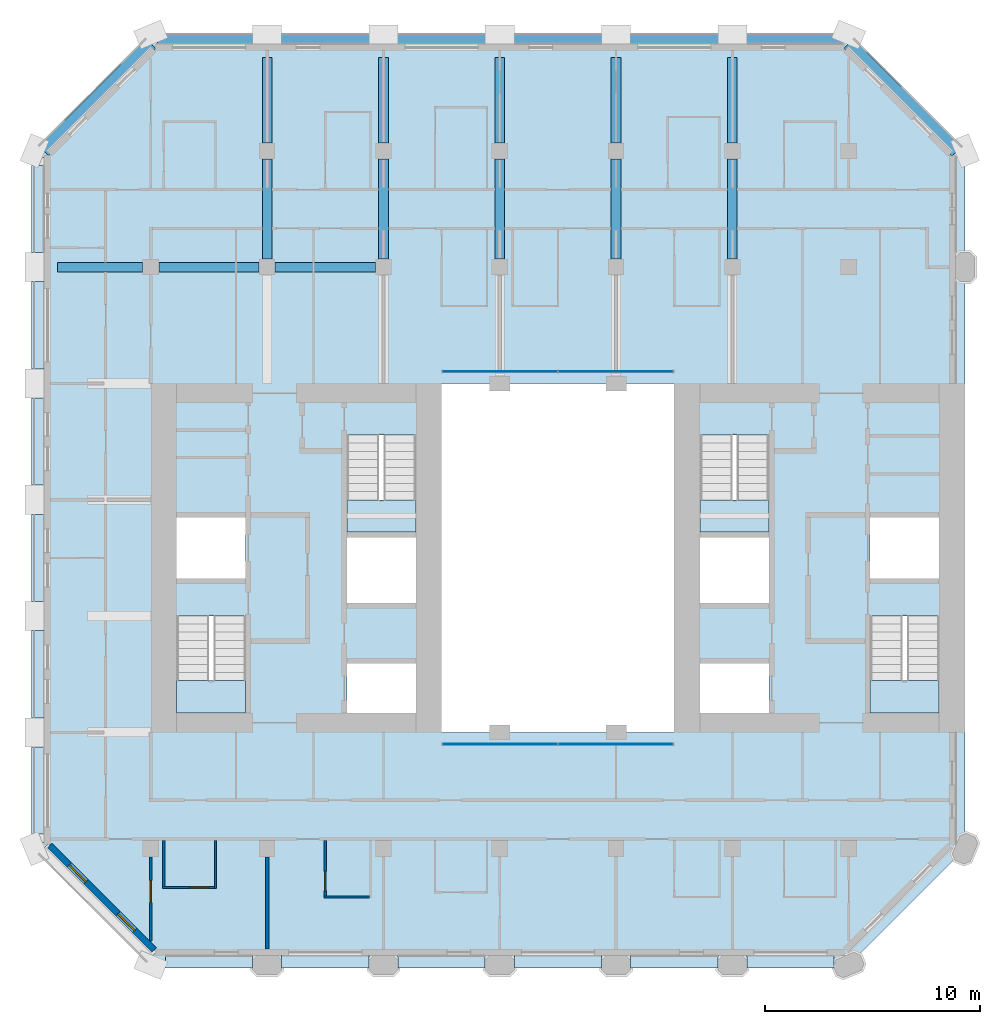
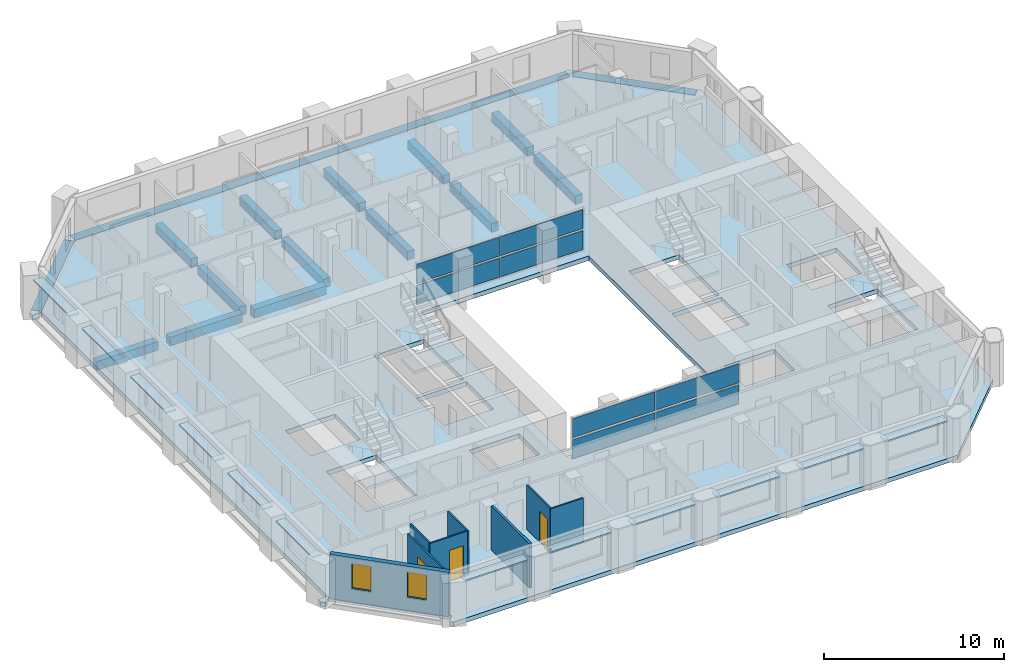
# One storey, part 5 of 14: 20 plates, 16 beams, 8 walls, 5 slabs, 3 doors, 2 windows, 5 openings, 6 elements without a shape of their own.
"""IFC4 building model written with IfcOpenShell, lengths in metres."""

from ifc_helpers import new_model, si_unit, direction, frame, frame_2d, origin, origin_2d, place, context, subcontext, project, spatial, polyline, rectangle, outline, extrude, material, layer, layer_set, material_profile, profile_set, type_object, element, fill, aggregate, save


model = new_model("IFC4")

# Units and contexts
model_context = context("Model", 3, precision=1e-05, world=origin(), true_north=direction((0.0, 1.0)))
body_context = subcontext(model_context, "Body", "Model", "MODEL_VIEW")
ifc_project = project(units=[si_unit("LENGTHUNIT", "METRE"), si_unit("AREAUNIT", "SQUARE_METRE"), si_unit("VOLUMEUNIT", "CUBIC_METRE"), si_unit("PLANEANGLEUNIT", "RADIAN"), si_unit("MASSUNIT", "GRAM", prefix="KILO")], contexts=[model_context])

# Site, building, storey
site_placement = place(None, origin())
site = spatial("IfcSite", under=ifc_project, at=site_placement, CompositionType="ELEMENT")
building_placement = place(site_placement, origin())
building = spatial("IfcBuilding", under=site, at=building_placement, Name="Tabaq Tower and Sports Hall", CompositionType="ELEMENT")
storey_placement = place(building_placement, frame((0.0, 0.0, 223.60009765625)))
storey = spatial("IfcBuildingStorey", under=building, at=storey_placement, Name="L56", CompositionType="ELEMENT", Elevation=223.60009765625)

# Beams
ifc_material_1 = material(Name="Concrete C40/50", Category="concrete")
ifc_material_profile_1 = material_profile(ifc_material_1, rectangle(XDim=0.449951171875, YDim=0.60009765625, at=origin_2d()), Name="CB 450x600")
ifc_profile_set_1 = profile_set([ifc_material_profile_1], Name="Concrete C40/50")
beam_type_1 = type_object("IfcBeamType", Name="PT CANTILEVER BEAM CB 450x600 C40/50", PredefinedType="BEAM", material=ifc_profile_set_1)
beam_1_placement = place(storey_placement, frame((1.074951171875, 37.800048828125, -0.60009765625), z_axis=(1.0, 0.0, 0.0), x_axis=(0.0, 1.0, 0.0)))
element("IfcBeam", 1, at=beam_1_placement, inside=storey, type_object=beam_type_1, Name="Cantilever Beam L56 W7 span 1", PredefinedType="BEAM", context=body_context, shape_type="SweptSolid", body=[
    extrude(rectangle(XDim=0.449951171875, YDim=0.60009765625, at=origin_2d()), origin(), (0.0, 0.0, 1.0), 3.949951171875),
])
beam_2_placement = place(storey_placement, frame((5.77490234375, 37.800048828125, -0.60009765625), z_axis=(1.0, 0.0, 0.0), x_axis=(0.0, 1.0, 0.0)))
element("IfcBeam", 2, at=beam_2_placement, inside=storey, type_object=beam_type_1, Name="Cantilever Beam L56 W7 span 2", PredefinedType="BEAM", context=body_context, shape_type="SweptSolid", body=[
    extrude(rectangle(XDim=0.449951171875, YDim=0.60009765625, at=origin_2d()), origin(), (0.0, 0.0, 1.0), 4.650146484375),
])
beam_3_placement = place(storey_placement, frame((11.175048828125, 37.800048828125, -0.60009765625), z_axis=(1.0, 0.0, 0.0), x_axis=(0.0, 1.0, 0.0)))
element("IfcBeam", 3, at=beam_3_placement, inside=storey, type_object=beam_type_1, Name="Cantilever Beam L56 W7 span 3", PredefinedType="BEAM", context=body_context, shape_type="SweptSolid", body=[
    extrude(rectangle(XDim=0.449951171875, YDim=0.60009765625, at=origin_2d()), origin(), (0.0, 0.0, 1.0), 4.64990234375),
])
beam_4_placement = place(storey_placement, frame((10.800048828125, 47.52490234375, -0.60009765625), z_axis=(0.0, -1.0, 0.0), x_axis=(1.0, 0.0, 0.0)))
element("IfcBeam", 4, at=beam_4_placement, inside=storey, type_object=beam_type_1, Name="Cantilever Beam L56 N2 span 1", PredefinedType="BEAM", context=body_context, shape_type="SweptSolid", body=[
    extrude(rectangle(XDim=0.449951171875, YDim=0.60009765625, at=origin_2d()), origin(), (0.0, 0.0, 1.0), 3.949951171875),
])
beam_5_placement = place(storey_placement, frame((10.800048828125, 42.824951171875, -0.60009765625), z_axis=(0.0, -1.0, 0.0), x_axis=(1.0, 0.0, 0.0)))
element("IfcBeam", 5, at=beam_5_placement, inside=storey, type_object=beam_type_1, Name="Cantilever Beam L56 N2 span 2", PredefinedType="BEAM", context=body_context, shape_type="SweptSolid", body=[
    extrude(rectangle(XDim=0.449951171875, YDim=0.60009765625, at=origin_2d()), origin(), (0.0, 0.0, 1.0), 4.64990234375),
])
beam_6_placement = place(storey_placement, frame((16.199951171875, 47.52490234375, -0.60009765625), z_axis=(0.0, -1.0, 0.0), x_axis=(1.0, 0.0, 0.0)))
element("IfcBeam", 6, at=beam_6_placement, inside=storey, type_object=beam_type_1, Name="Cantilever Beam L56 N3 span 1", PredefinedType="BEAM", context=body_context, shape_type="SweptSolid", body=[
    extrude(rectangle(XDim=0.449951171875, YDim=0.60009765625, at=origin_2d()), origin(), (0.0, 0.0, 1.0), 3.949951171875),
])
beam_7_placement = place(storey_placement, frame((16.199951171875, 42.824951171875, -0.60009765625), z_axis=(0.0, -1.0, 0.0), x_axis=(1.0, 0.0, 0.0)))
element("IfcBeam", 7, at=beam_7_placement, inside=storey, type_object=beam_type_1, Name="Cantilever Beam L56 N3 span 2", PredefinedType="BEAM", context=body_context, shape_type="SweptSolid", body=[
    extrude(rectangle(XDim=0.449951171875, YDim=0.60009765625, at=origin_2d()), origin(), (0.0, 0.0, 1.0), 4.64990234375),
])
beam_8_placement = place(storey_placement, frame((21.60009765625, 47.52490234375, -0.60009765625), z_axis=(0.0, -1.0, 0.0), x_axis=(1.0, 0.0, 0.0)))
element("IfcBeam", 8, at=beam_8_placement, inside=storey, type_object=beam_type_1, Name="Cantilever Beam L56 N4 span 1", PredefinedType="BEAM", context=body_context, shape_type="SweptSolid", body=[
    extrude(rectangle(XDim=0.449951171875, YDim=0.60009765625, at=origin_2d()), origin(), (0.0, 0.0, 1.0), 3.949951171875),
])
beam_9_placement = place(storey_placement, frame((21.60009765625, 42.824951171875, -0.60009765625), z_axis=(0.0, -1.0, 0.0), x_axis=(1.0, 0.0, 0.0)))
element("IfcBeam", 9, at=beam_9_placement, inside=storey, type_object=beam_type_1, Name="Cantilever Beam L56 N4 span 2", PredefinedType="BEAM", context=body_context, shape_type="SweptSolid", body=[
    extrude(rectangle(XDim=0.449951171875, YDim=0.60009765625, at=origin_2d()), origin(), (0.0, 0.0, 1.0), 4.64990234375),
])
beam_10_placement = place(storey_placement, frame((27.0, 47.52490234375, -0.60009765625), z_axis=(0.0, -1.0, 0.0), x_axis=(1.0, 0.0, 0.0)))
element("IfcBeam", 10, at=beam_10_placement, inside=storey, type_object=beam_type_1, Name="Cantilever Beam L56 N5 span 1", PredefinedType="BEAM", context=body_context, shape_type="SweptSolid", body=[
    extrude(rectangle(XDim=0.449951171875, YDim=0.60009765625, at=origin_2d()), origin(), (0.0, 0.0, 1.0), 3.949951171875),
])
beam_11_placement = place(storey_placement, frame((27.0, 42.824951171875, -0.60009765625), z_axis=(0.0, -1.0, 0.0), x_axis=(1.0, 0.0, 0.0)))
element("IfcBeam", 11, at=beam_11_placement, inside=storey, type_object=beam_type_1, Name="Cantilever Beam L56 N5 span 2", PredefinedType="BEAM", context=body_context, shape_type="SweptSolid", body=[
    extrude(rectangle(XDim=0.449951171875, YDim=0.60009765625, at=origin_2d()), origin(), (0.0, 0.0, 1.0), 4.64990234375),
])
beam_12_placement = place(storey_placement, frame((32.39990234375, 47.52490234375, -0.60009765625), z_axis=(0.0, -1.0, 0.0), x_axis=(1.0, 0.0, 0.0)))
element("IfcBeam", 12, at=beam_12_placement, inside=storey, type_object=beam_type_1, Name="Cantilever Beam L56 N6 span 1", PredefinedType="BEAM", context=body_context, shape_type="SweptSolid", body=[
    extrude(rectangle(XDim=0.449951171875, YDim=0.60009765625, at=origin_2d()), origin(), (0.0, 0.0, 1.0), 3.949951171875),
])
beam_13_placement = place(storey_placement, frame((32.39990234375, 42.824951171875, -0.60009765625), z_axis=(0.0, -1.0, 0.0), x_axis=(1.0, 0.0, 0.0)))
element("IfcBeam", 13, at=beam_13_placement, inside=storey, type_object=beam_type_1, Name="Cantilever Beam L56 N6 span 2", PredefinedType="BEAM", context=body_context, shape_type="SweptSolid", body=[
    extrude(rectangle(XDim=0.449951171875, YDim=0.60009765625, at=origin_2d()), origin(), (0.0, 0.0, 1.0), 4.64990234375),
])
ifc_material_2 = material(Name="Concrete C40/50", Category="concrete")
ifc_material_profile_2 = material_profile(ifc_material_2, rectangle(XDim=0.60009765625, YDim=0.300048828125, at=origin_2d()), Name="EB 600x300")
ifc_profile_set_2 = profile_set([ifc_material_profile_2], Name="Concrete C40/50")
beam_type_2 = type_object("IfcBeamType", Name="PT EDGE BEAM EB 600x300 C40/50", PredefinedType="SPANDREL", material=ifc_profile_set_2)
beam_14_placement = place(storey_placement, frame((42.81103515625, 43.16455078125, -0.150146484375), z_axis=(-0.707089559252, 0.707124002701, 0.0), x_axis=(-0.707124002701, -0.707089559252, 0.0)))
element("IfcBeam", 14, at=beam_14_placement, inside=storey, type_object=beam_type_2, Name="Edge Beam L56 1", PredefinedType="SPANDREL", context=body_context, shape_type="SweptSolid", body=[
    extrude(rectangle(XDim=0.60009765625, YDim=0.300048828125, at=origin_2d()), origin(), (0.0, 0.0, 1.0), 7.088134765625),
])
beam_15_placement = place(storey_placement, frame((37.50146484375, 48.300048828125, -0.150146484375), z_axis=(-1.0, 0.0, 0.0), x_axis=(0.0, -1.0, 0.0)))
element("IfcBeam", 15, at=beam_15_placement, inside=storey, type_object=beam_type_2, Name="Edge Beam L56 2", PredefinedType="SPANDREL", context=body_context, shape_type="SweptSolid", body=[
    extrude(rectangle(XDim=0.60009765625, YDim=0.300048828125, at=origin_2d()), origin(), (0.0, 0.0, 1.0), 31.802978515625),
])
beam_16_placement = place(storey_placement, frame((5.401123046875, 48.1767578125, -0.150146484375), z_axis=(-0.707106781187, -0.707106781187, 0.0), x_axis=(0.707106781187, -0.707106781187, 0.0)))
element("IfcBeam", 16, at=beam_16_placement, inside=storey, type_object=beam_type_2, Name="Edge Beam L56 3", PredefinedType="SPANDREL", context=body_context, shape_type="SweptSolid", body=[
    extrude(rectangle(XDim=0.60009765625, YDim=0.300048828125, at=origin_2d()), origin(), (0.0, 0.0, 1.0), 7.03955078125),
])

# Curtain wall, plates
ifc_material_3 = material(Name="Aluminium alloy 6063-T6 framed glazing", Category="aluminium")
curtain_wall_type = type_object("IfcCurtainWallType", Name="CW1 curtain wall", PredefinedType="USERDEFINED", material=ifc_material_3)
curtain_wall_1_placement = place(storey_placement, origin())
curtain_wall_1 = element("IfcCurtainWall", 17, at=curtain_wall_1_placement, inside=storey, type_object=curtain_wall_type, Name="Atrium glazing L56 S", ObjectType="ATRIUM ENCLOSURE", PredefinedType="USERDEFINED")
ifc_material_4 = material(Name="Clear low-emissivity glass 28 mm", Category="glass")
ifc_layer_1 = layer(ifc_material_4, 0.028076171875)
ifc_layer_set_1 = layer_set([ifc_layer_1], Name="CW1 glass panel 28")
plate_type_1 = type_object("IfcPlateType", Name="CW1 glass panel 28", PredefinedType="CURTAIN_PANEL", material=ifc_layer_set_1)
plate_1_placement = place(storey_placement, frame((21.614990234375, 15.64990234375, 0.139892578125), z_axis=(0.0, 0.0, 1.0), x_axis=(1.0, 0.0, 0.0)))
plate_1 = element("IfcPlate", 18, at=plate_1_placement, type_object=plate_type_1, Name="CW1 panel 1.1", PredefinedType="CURTAIN_PANEL", context=body_context, shape_type="SweptSolid", body=[
    extrude(rectangle(XDim=5.31005859375, YDim=0.028076171875, at=origin_2d()), origin(), (0.0, 0.0, 1.0), 1.2900390625),
])
plate_2_placement = place(storey_placement, frame((21.614990234375, 15.64990234375, 1.56982421875), z_axis=(0.0, 0.0, 1.0), x_axis=(1.0, 0.0, 0.0)))
plate_2 = element("IfcPlate", 19, at=plate_2_placement, type_object=plate_type_1, Name="CW1 panel 1.2", PredefinedType="CURTAIN_PANEL", context=body_context, shape_type="SweptSolid", body=[
    extrude(rectangle(XDim=5.31005859375, YDim=0.028076171875, at=origin_2d()), origin(), (0.0, 0.0, 1.0), 1.2900390625),
])
plate_3_placement = place(storey_placement, frame((26.985107421875, 15.64990234375, 0.139892578125), z_axis=(0.0, 0.0, 1.0), x_axis=(1.0, 0.0, 0.0)))
plate_3 = element("IfcPlate", 20, at=plate_3_placement, type_object=plate_type_1, Name="CW1 panel 2.1", PredefinedType="CURTAIN_PANEL", context=body_context, shape_type="SweptSolid", body=[
    extrude(rectangle(XDim=5.31005859375, YDim=0.028076171875, at=origin_2d()), origin(), (0.0, 0.0, 1.0), 1.2900390625),
])
plate_4_placement = place(storey_placement, frame((26.985107421875, 15.64990234375, 1.56982421875), z_axis=(0.0, 0.0, 1.0), x_axis=(1.0, 0.0, 0.0)))
plate_4 = element("IfcPlate", 21, at=plate_4_placement, type_object=plate_type_1, Name="CW1 panel 2.2", PredefinedType="CURTAIN_PANEL", context=body_context, shape_type="SweptSolid", body=[
    extrude(rectangle(XDim=5.31005859375, YDim=0.028076171875, at=origin_2d()), origin(), (0.0, 0.0, 1.0), 1.2900390625),
])
aggregate(curtain_wall_1, [plate_1, plate_2, plate_3, plate_4])

curtain_wall_2_placement = place(storey_placement, origin())
curtain_wall_2 = element("IfcCurtainWall", 22, at=curtain_wall_2_placement, inside=storey, type_object=curtain_wall_type, Name="Atrium glazing L56 N", ObjectType="ATRIUM ENCLOSURE", PredefinedType="USERDEFINED")
plate_5_placement = place(storey_placement, frame((21.614990234375, 32.949951171875, 0.139892578125), z_axis=(0.0, 0.0, 1.0), x_axis=(1.0, 0.0, 0.0)))
plate_5 = element("IfcPlate", 23, at=plate_5_placement, type_object=plate_type_1, Name="CW1 panel 1.1", PredefinedType="CURTAIN_PANEL", context=body_context, shape_type="SweptSolid", body=[
    extrude(rectangle(XDim=5.31005859375, YDim=0.028076171875, at=origin_2d()), origin(), (0.0, 0.0, 1.0), 1.2900390625),
])
plate_6_placement = place(storey_placement, frame((21.614990234375, 32.949951171875, 1.56982421875), z_axis=(0.0, 0.0, 1.0), x_axis=(1.0, 0.0, 0.0)))
plate_6 = element("IfcPlate", 24, at=plate_6_placement, type_object=plate_type_1, Name="CW1 panel 1.2", PredefinedType="CURTAIN_PANEL", context=body_context, shape_type="SweptSolid", body=[
    extrude(rectangle(XDim=5.31005859375, YDim=0.028076171875, at=origin_2d()), origin(), (0.0, 0.0, 1.0), 1.2900390625),
])
plate_7_placement = place(storey_placement, frame((26.985107421875, 32.949951171875, 0.139892578125), z_axis=(0.0, 0.0, 1.0), x_axis=(1.0, 0.0, 0.0)))
plate_7 = element("IfcPlate", 25, at=plate_7_placement, type_object=plate_type_1, Name="CW1 panel 2.1", PredefinedType="CURTAIN_PANEL", context=body_context, shape_type="SweptSolid", body=[
    extrude(rectangle(XDim=5.31005859375, YDim=0.028076171875, at=origin_2d()), origin(), (0.0, 0.0, 1.0), 1.2900390625),
])
plate_8_placement = place(storey_placement, frame((26.985107421875, 32.949951171875, 1.56982421875), z_axis=(0.0, 0.0, 1.0), x_axis=(1.0, 0.0, 0.0)))
plate_8 = element("IfcPlate", 26, at=plate_8_placement, type_object=plate_type_1, Name="CW1 panel 2.2", PredefinedType="CURTAIN_PANEL", context=body_context, shape_type="SweptSolid", body=[
    extrude(rectangle(XDim=5.31005859375, YDim=0.028076171875, at=origin_2d()), origin(), (0.0, 0.0, 1.0), 1.2900390625),
])
aggregate(curtain_wall_2, [plate_5, plate_6, plate_7, plate_8])

# Stair, slab
ifc_material_5 = material(Name="Concrete C40/50", Category="concrete")
stair_type = type_object("IfcStairType", Name="Exit stair", PredefinedType="HALF_TURN_STAIR", material=ifc_material_5)
stair_1_placement = place(storey_placement, origin())
stair_1 = element("IfcStair", 27, at=stair_1_placement, inside=storey, type_object=stair_type, Name="L56 Exit stair ST1", PredefinedType="HALF_TURN_STAIR")
ifc_material_6 = material(Name="Concrete C40/50", Category="concrete")
ifc_layer_2 = layer(ifc_material_6, 0.199951171875)
ifc_layer_set_2 = layer_set([ifc_layer_2], Name="Exit stair landing")
slab_type_1 = type_object("IfcSlabType", Name="Exit stair landing", PredefinedType="LANDING", material=ifc_layer_set_2)
slab_1_placement = place(storey_placement, frame((0.0, 0.0, 1.449951171875)))
slab_1 = element("IfcSlab", 28, at=slab_1_placement, type_object=slab_type_1, Name="ST1 landing 1", PredefinedType="LANDING", context=body_context, shape_type="SweptSolid", body=[
    extrude(outline(polyline([(6.60009765625, 18.60009765625), (6.60009765625, 17.10009765625), (9.800048828125, 17.10009765625), (9.800048828125, 18.60009765625), (6.60009765625, 18.60009765625)])), origin(), (0.0, 0.0, 1.0), 0.199951171875),
])
aggregate(stair_1, [slab_1])

stair_2_placement = place(storey_placement, origin())
stair_2 = element("IfcStair", 29, at=stair_2_placement, inside=storey, type_object=stair_type, Name="L56 Exit stair ST2", PredefinedType="HALF_TURN_STAIR")
slab_2_placement = place(storey_placement, frame((0.0, 0.0, 1.449951171875)))
slab_2 = element("IfcSlab", 30, at=slab_2_placement, type_object=slab_type_1, Name="ST2 landing 1", PredefinedType="LANDING", context=body_context, shape_type="SweptSolid", body=[
    extrude(outline(polyline([(14.5, 27.0), (14.5, 25.5), (17.699951171875, 25.5), (17.699951171875, 27.0), (14.5, 27.0)])), origin(), (0.0, 0.0, 1.0), 0.199951171875),
])
aggregate(stair_2, [slab_2])

stair_3_placement = place(storey_placement, origin())
stair_3 = element("IfcStair", 31, at=stair_3_placement, inside=storey, type_object=stair_type, Name="L56 Exit stair ST3", PredefinedType="HALF_TURN_STAIR")
slab_3_placement = place(storey_placement, frame((0.0, 0.0, 1.449951171875)))
slab_3 = element("IfcSlab", 32, at=slab_3_placement, type_object=slab_type_1, Name="ST3 landing 1", PredefinedType="LANDING", context=body_context, shape_type="SweptSolid", body=[
    extrude(outline(polyline([(38.800048828125, 18.60009765625), (38.800048828125, 17.10009765625), (42.0, 17.10009765625), (42.0, 18.60009765625), (38.800048828125, 18.60009765625)])), origin(), (0.0, 0.0, 1.0), 0.199951171875),
])
aggregate(stair_3, [slab_3])

stair_4_placement = place(storey_placement, origin())
stair_4 = element("IfcStair", 33, at=stair_4_placement, inside=storey, type_object=stair_type, Name="L56 Exit stair ST4", PredefinedType="HALF_TURN_STAIR")
slab_4_placement = place(storey_placement, frame((0.0, 0.0, 1.449951171875)))
slab_4 = element("IfcSlab", 34, at=slab_4_placement, type_object=slab_type_1, Name="ST4 landing 1", PredefinedType="LANDING", context=body_context, shape_type="SweptSolid", body=[
    extrude(outline(polyline([(30.89990234375, 27.0), (30.89990234375, 25.5), (34.10009765625, 25.5), (34.10009765625, 27.0), (30.89990234375, 27.0)])), origin(), (0.0, 0.0, 1.0), 0.199951171875),
])
aggregate(stair_4, [slab_4])

# Slab
ifc_material_7 = material(Name="Concrete C40/50", Category="concrete")
ifc_layer_3 = layer(ifc_material_7, 0.300048828125)
ifc_layer_set_3 = layer_set([ifc_layer_3], Name="PT FLOOR SLAB 300 C40/50")
slab_type_2 = type_object("IfcSlabType", Name="PT FLOOR SLAB 300 C40/50", PredefinedType="FLOOR", material=ifc_layer_set_3)
slab_5_placement = place(storey_placement, frame((0.0, 0.0, -0.300048828125)))
element("IfcSlab", 35, at=slab_5_placement, inside=storey, type_object=slab_type_2, Name="Floor Slab L56", PredefinedType="FLOOR", context=body_context, shape_type="SweptSolid", body=[
    extrude(outline(polyline([(0.0, 11.0986328125), (0.0, 10.800048828125), (0.211181640625, 10.5888671875), (0.63525390625, 11.01318359375), (5.6474609375, 6.0009765625), (5.57666015625, 5.930419921875), (5.22314453125, 5.57666015625), (5.39990234375, 5.39990234375), (37.800048828125, 5.39990234375), (43.199951171875, 10.800048828125), (43.199951171875, 43.199951171875), (43.023193359375, 43.376708984375), (42.669677734375, 43.023193359375), (42.598876953125, 42.952392578125), (37.5869140625, 47.964599609375), (37.657470703125, 48.035400390625), (38.010986328125, 48.388916015625), (37.800048828125, 48.60009765625), (37.50146484375, 48.60009765625), (37.50146484375, 48.10009765625), (37.50146484375, 48.0), (5.698486328125, 48.0), (5.698486328125, 48.10009765625), (5.698486328125, 48.60009765625), (5.39990234375, 48.60009765625), (5.18896484375, 48.388916015625), (5.54248046875, 48.035400390625), (5.61328125, 47.964599609375), (0.63525390625, 42.98681640625), (0.211181640625, 43.4111328125), (0.0, 43.199951171875), (0.0, 42.9013671875), (0.5, 42.9013671875), (0.60009765625, 42.9013671875), (0.60009765625, 11.0986328125), (0.5, 11.0986328125), (0.0, 11.0986328125)]), holes=[polyline([(14.5, 19.39990234375), (17.699951171875, 19.39990234375), (17.699951171875, 17.10009765625), (14.5, 17.10009765625), (14.5, 19.39990234375)]), polyline([(6.60009765625, 21.599365234375), (9.800048828125, 21.599365234375), (9.800048828125, 17.10009765625), (6.60009765625, 17.10009765625), (6.60009765625, 21.599365234375)]), polyline([(14.5, 25.25), (17.699951171875, 25.25), (17.699951171875, 22.199951171875), (14.5, 22.199951171875), (14.5, 25.25)]), polyline([(18.89990234375, 32.39990234375), (29.699951171875, 32.39990234375), (29.699951171875, 16.199951171875), (18.89990234375, 16.199951171875), (18.89990234375, 32.39990234375)]), polyline([(9.800048828125, 26.175048828125), (9.800048828125, 23.35009765625), (6.60009765625, 23.35009765625), (6.60009765625, 26.175048828125), (9.800048828125, 26.175048828125)]), polyline([(14.5, 29.99951171875), (17.699951171875, 29.99951171875), (17.699951171875, 25.5), (14.5, 25.5), (14.5, 29.99951171875)]), polyline([(34.10009765625, 19.39990234375), (34.10009765625, 17.10009765625), (30.89990234375, 17.10009765625), (30.89990234375, 19.39990234375), (34.10009765625, 19.39990234375)]), polyline([(42.0, 21.599365234375), (42.0, 17.10009765625), (38.800048828125, 17.10009765625), (38.800048828125, 21.599365234375), (42.0, 21.599365234375)]), polyline([(30.89990234375, 25.25), (34.10009765625, 25.25), (34.10009765625, 22.199951171875), (30.89990234375, 22.199951171875), (30.89990234375, 25.25)]), polyline([(42.0, 26.175048828125), (42.0, 23.35009765625), (38.800048828125, 23.35009765625), (38.800048828125, 26.175048828125), (42.0, 26.175048828125)]), polyline([(34.10009765625, 29.99951171875), (34.10009765625, 25.5), (30.89990234375, 25.5), (30.89990234375, 29.99951171875), (34.10009765625, 29.99951171875)])]), origin(), (0.0, 0.0, 1.0), 0.300048828125),
])

# Plates
ifc_material_8 = material(Name="White precast concrete C60/75 blade", Category="concrete")
ifc_layer_4 = layer(ifc_material_8, 0.10009765625)
ifc_layer_set_4 = layer_set([ifc_layer_4], Name="White precast concrete C60/75 sunshade 100")
plate_type_2 = type_object("IfcPlateType", Name="White precast concrete C60/75 sunshade 100", PredefinedType="USERDEFINED", material=ifc_layer_set_4)
for number, where, z_axis, x_axis, name in (
    (36, (8.10009765625, 5.550048828125, 2.599853515625), (0.0, 0.0, 1.0), (1.0, 0.0, 0.0), "Sunshade L56 S"),
    (37, (13.5, 5.550048828125, 2.599853515625), (0.0, 0.0, 1.0), (1.0, 0.0, 0.0), "Sunshade L56 S"),
    (38, (18.89990234375, 5.550048828125, 2.599853515625), (0.0, 0.0, 1.0), (1.0, 0.0, 0.0), "Sunshade L56 S"),
    (39, (24.300048828125, 5.550048828125, 2.599853515625), (0.0, 0.0, 1.0), (1.0, 0.0, 0.0), "Sunshade L56 S"),
    (40, (29.699951171875, 5.550048828125, 2.599853515625), (0.0, 0.0, 1.0), (1.0, 0.0, 0.0), "Sunshade L56 S"),
    (41, (35.10009765625, 5.550048828125, 2.599853515625), (0.0, 0.0, 1.0), (1.0, 0.0, 0.0), "Sunshade L56 S"),
    (42, (0.14990234375, 40.5, 2.599853515625), (0.0, 0.0, 1.0), (0.0, -1.0, 0.0), "Sunshade L56 W"),
    (43, (0.14990234375, 35.10009765625, 2.599853515625), (0.0, 0.0, 1.0), (0.0, -1.0, 0.0), "Sunshade L56 W"),
    (44, (0.14990234375, 29.699951171875, 2.599853515625), (0.0, 0.0, 1.0), (0.0, -1.0, 0.0), "Sunshade L56 W"),
    (45, (0.14990234375, 24.300048828125, 2.599853515625), (0.0, 0.0, 1.0), (0.0, -1.0, 0.0), "Sunshade L56 W"),
    (46, (0.14990234375, 18.89990234375, 2.599853515625), (0.0, 0.0, 1.0), (0.0, -1.0, 0.0), "Sunshade L56 W"),
    (47, (0.14990234375, 13.5, 2.599853515625), (0.0, 0.0, 1.0), (0.0, -1.0, 0.0), "Sunshade L56 W"),
):
    element("IfcPlate", number, at=place(storey_placement, frame(where, z_axis=z_axis, x_axis=x_axis)), inside=storey, type_object=plate_type_2, Name=name, ObjectType="SUNSHADE", PredefinedType="USERDEFINED", context=body_context, shape_type="SweptSolid", body=[
        extrude(rectangle(XDim=4.050048828125, YDim=0.60009765625, at=origin_2d()), origin(), (0.0, 0.0, 1.0), 0.10009765625),
    ])

# Wall
ifc_material_9 = material(Name="Gypsum board on steel studs", Category="steel")
ifc_layer_5 = layer(ifc_material_9, 0.10009765625)
ifc_layer_set_5 = layer_set([ifc_layer_5], Name="Partition 100 Gypsum board")
wall_type_1 = type_object("IfcWallType", Name="Partition 100 Gypsum board", PredefinedType="PARTITIONING", material=ifc_layer_set_5)
wall_1_placement = place(storey_placement, frame((15.550048828125, 8.550048828125, 0.0), z_axis=(0.0, 0.0, 1.0), x_axis=(-1.0, 0.0, 0.0)))
element("IfcWall", 48, at=wall_1_placement, inside=storey, type_object=wall_type_1, Name="Partition wall L56", PredefinedType="PARTITIONING", context=body_context, shape_type="SweptSolid", body=[
    extrude(rectangle(XDim=2.10009765625, YDim=0.10009765625, at=frame_2d((1.050048828125, 0.0))), origin(), (0.0, 0.0, 1.0), 3.0),
])

# Wall, opening, door
wall_2_placement = place(storey_placement, frame((13.5, 8.60009765625, 0.0), z_axis=(0.0, 0.0, 1.0), x_axis=(0.0, 1.0, 0.0)))
wall_2 = element("IfcWall", 49, at=wall_2_placement, inside=storey, type_object=wall_type_1, Name="Partition wall L56", PredefinedType="PARTITIONING", context=body_context, shape_type="SweptSolid", body=[
    extrude(rectangle(XDim=2.574951171875, YDim=0.10009765625, at=frame_2d((1.28759765625, 0.0))), origin(), (0.0, 0.0, 1.0), 3.0),
])
opening_1_placement = place(wall_2_placement, frame((0.25, 0.0, 0.0)))
opening_1 = element("IfcOpeningElement", 50, at=opening_1_placement, cuts=wall_2, Name="Opening L56-019", PredefinedType="OPENING", context=body_context, shape_type="SweptSolid", body=[
    extrude(rectangle(XDim=0.89990234375, YDim=2.10009765625, at=frame_2d((0.449951171875, 1.050048828125))), frame((0.0, 0.050048828125, 0.0), z_axis=(0.0, -1.0, 0.0), x_axis=(1.0, 0.0, 0.0)), (0.0, 0.0, 1.0), 0.10009765625),
])
ifc_material_10 = material(Name="Timber leaf in steel frame", Category="steel")
door_type_1 = type_object("IfcDoorType", Name="Internal door 900 left hand", OperationType="SINGLE_SWING_LEFT", PredefinedType="DOOR", material=ifc_material_10)
door_1_placement = place(opening_1_placement, origin())
door_1 = element("IfcDoor", 51, at=door_1_placement, inside=storey, type_object=door_type_1, Name="Internal door L56-019", OperationType="SINGLE_SWING_LEFT", OverallHeight=2.10009765625, OverallWidth=0.89990234375, PredefinedType="DOOR", context=body_context, shape_type="SweptSolid", body=[
    extrude(rectangle(XDim=0.89990234375, YDim=2.10009765625, at=frame_2d((0.449951171875, 1.050048828125))), frame((0.0, 0.02490234375, 0.0), z_axis=(0.0, -1.0, 0.0), x_axis=(1.0, 0.0, 0.0)), (0.0, 0.0, 1.0), 0.050048828125),
])
fill(opening_1, door_1)

# Wall
wall_3_placement = place(storey_placement, frame((8.39990234375, 11.175048828125, 0.0), z_axis=(0.0, 0.0, 1.0), x_axis=(0.0, -1.0, 0.0)))
element("IfcWall", 52, at=wall_3_placement, inside=storey, type_object=wall_type_1, Name="Partition wall L56", PredefinedType="PARTITIONING", context=body_context, shape_type="SweptSolid", body=[
    extrude(rectangle(XDim=2.22509765625, YDim=0.10009765625, at=frame_2d((1.112548828125, 0.0))), origin(), (0.0, 0.0, 1.0), 3.0),
])

# Wall, opening, door
wall_4_placement = place(storey_placement, frame((8.35009765625, 9.0, 0.0), z_axis=(0.0, 0.0, 1.0), x_axis=(-1.0, 0.0, 0.0)))
wall_4 = element("IfcWall", 53, at=wall_4_placement, inside=storey, type_object=wall_type_1, Name="Partition wall L56", PredefinedType="PARTITIONING", context=body_context, shape_type="SweptSolid", body=[
    extrude(rectangle(XDim=2.400146484375, YDim=0.10009765625, at=frame_2d((1.2001953125, 0.0))), origin(), (0.0, 0.0, 1.0), 3.0),
])
opening_2_placement = place(wall_4_placement, frame((0.25, 0.0, 0.0)))
opening_2 = element("IfcOpeningElement", 54, at=opening_2_placement, cuts=wall_4, Name="Opening L56-020", PredefinedType="OPENING", context=body_context, shape_type="SweptSolid", body=[
    extrude(rectangle(XDim=0.89990234375, YDim=2.10009765625, at=frame_2d((0.449951171875, 1.050048828125))), frame((0.0, 0.050048828125, 0.0), z_axis=(0.0, -1.0, 0.0), x_axis=(1.0, 0.0, 0.0)), (0.0, 0.0, 1.0), 0.10009765625),
])
ifc_material_11 = material(Name="Timber leaf in steel frame", Category="steel")
door_type_2 = type_object("IfcDoorType", Name="Internal door 900 right hand", OperationType="SINGLE_SWING_RIGHT", PredefinedType="DOOR", material=ifc_material_11)
door_2_placement = place(opening_2_placement, origin())
door_2 = element("IfcDoor", 55, at=door_2_placement, inside=storey, type_object=door_type_2, Name="Internal door L56-020", OperationType="SINGLE_SWING_RIGHT", OverallHeight=2.10009765625, OverallWidth=0.89990234375, PredefinedType="DOOR", context=body_context, shape_type="SweptSolid", body=[
    extrude(rectangle(XDim=0.89990234375, YDim=2.10009765625, at=frame_2d((0.449951171875, 1.050048828125))), frame((0.0, 0.02490234375, 0.0), z_axis=(0.0, -1.0, 0.0), x_axis=(1.0, 0.0, 0.0)), (0.0, 0.0, 1.0), 0.050048828125),
])
fill(opening_2, door_2)

# Wall
wall_5_placement = place(storey_placement, frame((6.0, 9.050048828125, 0.0), z_axis=(0.0, 0.0, 1.0), x_axis=(0.0, 1.0, 0.0)))
element("IfcWall", 56, at=wall_5_placement, inside=storey, type_object=wall_type_1, Name="Partition wall L56", PredefinedType="PARTITIONING", context=body_context, shape_type="SweptSolid", body=[
    extrude(rectangle(XDim=2.125, YDim=0.10009765625, at=frame_2d((1.0625, 0.0))), origin(), (0.0, 0.0, 1.0), 3.0),
])

# Wall, opening, door
wall_6_placement = place(storey_placement, frame((5.39990234375, 10.405029296875, 0.0), z_axis=(0.0, 0.0, 1.0), x_axis=(0.0, -1.0, 0.0)))
wall_6 = element("IfcWall", 57, at=wall_6_placement, inside=storey, type_object=wall_type_1, Name="Partition wall L56", PredefinedType="PARTITIONING", context=body_context, shape_type="SweptSolid", body=[
    extrude(rectangle(XDim=3.892822265625, YDim=0.10009765625, at=frame_2d((1.9462890625, 0.0))), origin(), (0.0, 0.0, 1.0), 3.0),
])
opening_3_placement = place(wall_6_placement, frame((1.092529296875, 0.0, 0.0)))
opening_3 = element("IfcOpeningElement", 58, at=opening_3_placement, cuts=wall_6, Name="Opening L56-047", PredefinedType="OPENING", context=body_context, shape_type="SweptSolid", body=[
    extrude(rectangle(XDim=1.0, YDim=2.10009765625, at=frame_2d((0.5, 1.050048828125))), frame((0.0, 0.050048828125, 0.0), z_axis=(0.0, -1.0, 0.0), x_axis=(1.0, 0.0, 0.0)), (0.0, 0.0, 1.0), 0.10009765625),
])
ifc_material_12 = material(Name="Timber leaf in steel frame", Category="steel")
door_type_3 = type_object("IfcDoorType", Name="Internal door 1000 right hand", OperationType="SINGLE_SWING_RIGHT", PredefinedType="DOOR", material=ifc_material_12)
door_3_placement = place(opening_3_placement, origin())
door_3 = element("IfcDoor", 59, at=door_3_placement, inside=storey, type_object=door_type_3, Name="Internal door L56-047", OperationType="SINGLE_SWING_RIGHT", OverallHeight=2.10009765625, OverallWidth=1.0, PredefinedType="DOOR", context=body_context, shape_type="SweptSolid", body=[
    extrude(rectangle(XDim=1.0, YDim=2.10009765625, at=frame_2d((0.5, 1.050048828125))), frame((0.0, 0.02490234375, 0.0), z_axis=(0.0, -1.0, 0.0), x_axis=(1.0, 0.0, 0.0)), (0.0, 0.0, 1.0), 0.050048828125),
])
fill(opening_3, door_3)

# Wall
ifc_material_13 = material(Name="Blockwork", Category="masonry")
ifc_layer_6 = layer(ifc_material_13, 0.14990234375)
ifc_layer_set_6 = layer_set([ifc_layer_6], Name="Separating wall 150 Blockwork")
wall_type_2 = type_object("IfcWallType", Name="Separating wall 150 Blockwork", PredefinedType="PARTITIONING", material=ifc_layer_set_6)
wall_7_placement = place(storey_placement, frame((10.800048828125, 10.405029296875, 0.0), z_axis=(0.0, 0.0, 1.0), x_axis=(0.0, -1.0, 0.0)))
element("IfcWall", 60, at=wall_7_placement, inside=storey, type_object=wall_type_2, Name="Separating wall L56", PredefinedType="PARTITIONING", context=body_context, shape_type="SweptSolid", body=[
    extrude(rectangle(XDim=4.254150390625, YDim=0.14990234375, at=frame_2d((2.126953125, 0.0))), origin(), (0.0, 0.0, 1.0), 3.0),
])

# Wall, openings, windows
ifc_material_14 = material(Name="White precast concrete C60/75", Category="concrete")
ifc_layer_7 = layer(ifc_material_14, 0.300048828125)
ifc_layer_set_7 = layer_set([ifc_layer_7], Name="White precast concrete C60/75 external wall 300")
wall_type_3 = type_object("IfcWallType", Name="White precast concrete C60/75 external wall 300", PredefinedType="SOLIDWALL", material=ifc_layer_set_7)
wall_8_placement = place(storey_placement, frame((0.698974609375, 10.949462890625, 0.0), z_axis=(0.0, 0.0, 1.0), x_axis=(0.707106781187, -0.707106781187, 0.0)))
wall_8 = element("IfcWall", 61, at=wall_8_placement, inside=storey, type_object=wall_type_3, Name="External Wall L56 SW", PredefinedType="SOLIDWALL", context=body_context, shape_type="SweptSolid", body=[
    extrude(rectangle(XDim=6.85986328125, YDim=0.300048828125, at=frame_2d((3.429931640625, 0.0))), origin(), (0.0, 0.0, 1.0), 3.0),
])
opening_4_placement = place(wall_8_placement, frame((1.27978515625, 0.0, 0.89990234375)))
opening_4 = element("IfcOpeningElement", 62, at=opening_4_placement, cuts=wall_8, Name="Opening W1B", PredefinedType="OPENING", context=body_context, shape_type="SweptSolid", body=[
    extrude(rectangle(XDim=1.10009765625, YDim=1.699951171875, at=frame_2d((0.550048828125, 0.85009765625))), frame((0.0, 0.16015625, 0.0), z_axis=(0.0, -1.0, 0.0), x_axis=(1.0, 0.0, 0.0)), (0.0, 0.0, 1.0), 0.320068359375),
])
opening_5_placement = place(wall_8_placement, frame((4.479736328125, 0.0, 0.89990234375)))
opening_5 = element("IfcOpeningElement", 63, at=opening_5_placement, cuts=wall_8, Name="Opening W1B", PredefinedType="OPENING", context=body_context, shape_type="SweptSolid", body=[
    extrude(rectangle(XDim=1.10009765625, YDim=1.699951171875, at=frame_2d((0.550048828125, 0.85009765625))), frame((0.0, 0.16015625, 0.0), z_axis=(0.0, -1.0, 0.0), x_axis=(1.0, 0.0, 0.0)), (0.0, 0.0, 1.0), 0.320068359375),
])
ifc_material_15 = material(Name="Aluminium framed clear glazing", Category="aluminium")
window_type = type_object("IfcWindowType", Name="Window W1B", PartitioningType="SINGLE_PANEL", PredefinedType="WINDOW", material=ifc_material_15)
window_1_placement = place(opening_4_placement, origin())
window_1 = element("IfcWindow", 64, at=window_1_placement, inside=storey, type_object=window_type, Name="Window W1B L56", OverallHeight=1.699951171875, OverallWidth=1.10009765625, PartitioningType="SINGLE_PANEL", PredefinedType="WINDOW", context=body_context, shape_type="SweptSolid", body=[
    extrude(rectangle(XDim=1.10009765625, YDim=1.699951171875, at=frame_2d((0.550048828125, 0.85009765625))), frame((0.0, 0.030029296875, 0.0), z_axis=(0.0, -1.0, 0.0), x_axis=(1.0, 0.0, 0.0)), (0.0, 0.0, 1.0), 0.06005859375),
])
fill(opening_4, window_1)
window_2_placement = place(opening_5_placement, origin())
window_2 = element("IfcWindow", 65, at=window_2_placement, inside=storey, type_object=window_type, Name="Window W1B L56", OverallHeight=1.699951171875, OverallWidth=1.10009765625, PartitioningType="SINGLE_PANEL", PredefinedType="WINDOW", context=body_context, shape_type="SweptSolid", body=[
    extrude(rectangle(XDim=1.10009765625, YDim=1.699951171875, at=frame_2d((0.550048828125, 0.85009765625))), frame((0.0, 0.030029296875, 0.0), z_axis=(0.0, -1.0, 0.0), x_axis=(1.0, 0.0, 0.0)), (0.0, 0.0, 1.0), 0.06005859375),
])
fill(opening_5, window_2)

save(model, "model.ifc")
